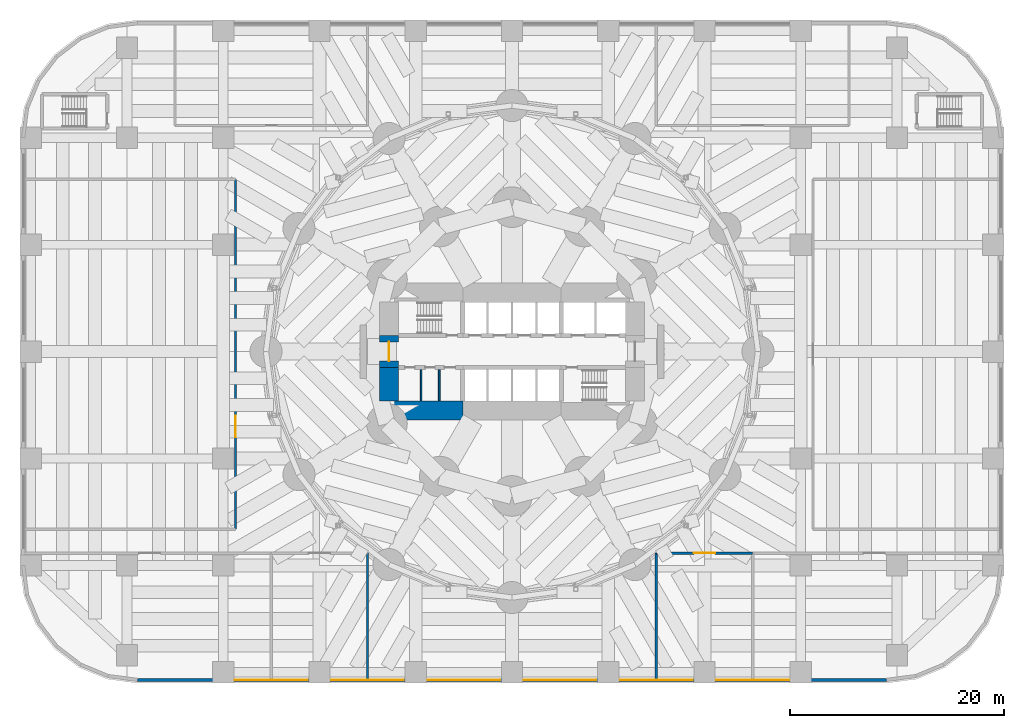
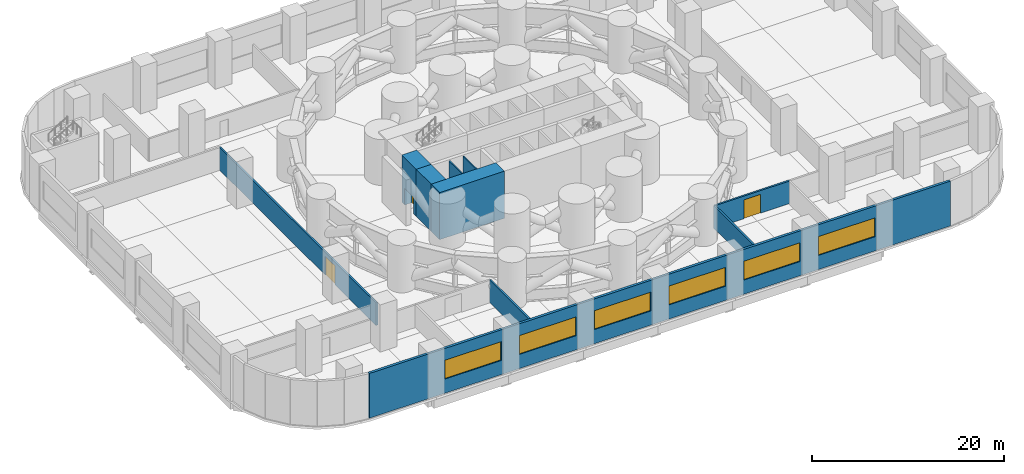
# One storey, part 9 of 14: 10 walls, 6 windows, 3 doors, 9 openings.
"""IFC4 building model written with IfcOpenShell, lengths in metres."""

from ifc_helpers import new_model, si_unit, direction, frame, frame_2d, origin, place, context, subcontext, project, spatial, rectangle, extrude, material, layer, layer_set, type_object, element, fill, save


model = new_model("IFC4")

# Units and contexts
model_context = context("Model", 3, precision=1e-05, world=origin(), true_north=direction((0.0, 1.0)))
body_context = subcontext(model_context, "Body", "Model", "MODEL_VIEW")
ifc_project = project(units=[si_unit("LENGTHUNIT", "METRE"), si_unit("AREAUNIT", "SQUARE_METRE"), si_unit("VOLUMEUNIT", "CUBIC_METRE"), si_unit("PLANEANGLEUNIT", "RADIAN"), si_unit("MASSUNIT", "GRAM", prefix="KILO")], contexts=[model_context])

# Site, building, storey
site_placement = place(None, origin())
site = spatial("IfcSite", under=ifc_project, at=site_placement, CompositionType="ELEMENT")
building_placement = place(site_placement, origin())
building = spatial("IfcBuilding", under=site, at=building_placement, Name="Qaws Media Tower", CompositionType="ELEMENT")
storey_placement = place(building_placement, frame((0.0, 0.0, 20.0)))
storey = spatial("IfcBuildingStorey", under=building, at=storey_placement, Name="L03", CompositionType="ELEMENT", Elevation=20.0)

# Walls
ifc_material_1 = material(Name="Concrete C60/75", Category="concrete")
ifc_layer_1 = layer(ifc_material_1, 1.800048828125)
ifc_layer_set_1 = layer_set([ifc_layer_1], Name="Core wall 1800")
wall_type_1 = type_object("IfcWallType", Name="Core wall 1800", PredefinedType="SHEAR", material=ifc_layer_set_1)
wall_1_placement = place(storey_placement, frame((47.60009765625, 44.5, 0.0), z_axis=(0.0, 0.0, 1.0), x_axis=(1.0, 0.0, 0.0)))
element("IfcWall", 1, at=wall_1_placement, inside=storey, type_object=wall_type_1, Name="W398 SW11 core wall SW L03", PredefinedType="SHEAR", context=body_context, shape_type="SweptSolid", body=[
    extrude(rectangle(XDim=7.7998046875, YDim=1.800048828125, at=frame_2d((3.89990234375, 0.0))), origin(), (0.0, 0.0, 1.0), 6.0),
])
wall_2_placement = place(storey_placement, frame((48.5, 45.3798828125, 0.0), z_axis=(0.0, 0.0, 1.0), x_axis=(0.0, 1.0, 0.0)))
element("IfcWall", 2, at=wall_2_placement, inside=storey, type_object=wall_type_1, Name="W400 SW11 core wall WS L03", PredefinedType="SHEAR", context=body_context, shape_type="SweptSolid", body=[
    extrude(rectangle(XDim=3.1201171875, YDim=1.800048828125, at=frame_2d((1.56005859375, 0.0))), origin(), (0.0, 0.0, 1.0), 6.0),
])

# Wall, opening, door
wall_3_placement = place(storey_placement, frame((48.5, 48.5, 0.0), z_axis=(0.0, 0.0, 1.0), x_axis=(0.0, 1.0, 0.0)))
wall_3 = element("IfcWall", 3, at=wall_3_placement, inside=storey, type_object=wall_type_1, Name="W401 SW11 core wall W L03", PredefinedType="SHEAR", context=body_context, shape_type="SweptSolid", body=[
    extrude(rectangle(XDim=3.0, YDim=1.800048828125, at=frame_2d((1.5, 0.0))), origin(), (0.0, 0.0, 1.0), 6.0),
])
opening_1_placement = place(wall_3_placement, frame((0.60009765625, 0.0, 0.0)))
opening_1 = element("IfcOpeningElement", 4, at=opening_1_placement, cuts=wall_3, Name="Opening D2", PredefinedType="OPENING", context=body_context, shape_type="SweptSolid", body=[
    extrude(rectangle(XDim=1.800048828125, YDim=2.10009765625, at=frame_2d((0.89990234375, 1.050048828125))), frame((0.0, 0.909912109375, 0.0), z_axis=(0.0, -1.0, 0.0), x_axis=(1.0, 0.0, 0.0)), (0.0, 0.0, 1.0), 1.820068359375),
])
ifc_material_2 = material(Name="Steel and glass, fire rated", Category="steel")
door_type_1 = type_object("IfcDoorType", Name="Lobby door pair 1800 FD60", OperationType="DOUBLE_DOOR_DOUBLE_SWING", PredefinedType="DOOR", material=ifc_material_2)
door_1_placement = place(opening_1_placement, origin())
door_1 = element("IfcDoor", 5, at=door_1_placement, inside=storey, type_object=door_type_1, Name="D2 core lobby door W L03 in wall W401", OperationType="DOUBLE_DOOR_DOUBLE_SWING", OverallHeight=2.10009765625, OverallWidth=1.800048828125, PredefinedType="DOOR", context=body_context, shape_type="SweptSolid", body=[
    extrude(rectangle(XDim=1.800048828125, YDim=2.10009765625, at=frame_2d((0.89990234375, 1.050048828125))), frame((0.0, 0.02490234375, 0.0), z_axis=(0.0, -1.0, 0.0), x_axis=(1.0, 0.0, 0.0)), (0.0, 0.0, 1.0), 0.050048828125),
])
fill(opening_1, door_1)

ifc_material_3 = material(Name="215 dense concrete blockwork, fair faced", Category="masonry")
ifc_layer_2 = layer(ifc_material_3, 0.215087890625)
ifc_layer_set_2 = layer_set([ifc_layer_2], Name="Plant room blockwork wall 215")
wall_type_2 = type_object("IfcWallType", Name="Plant room blockwork wall 215", PredefinedType="PARTITIONING", material=ifc_layer_set_2)
wall_4_placement = place(storey_placement, frame((34.14990234375, 33.39990234375, 0.0), z_axis=(0.0, 0.0, 1.0), x_axis=(0.0, 1.0, 0.0)))
wall_4 = element("IfcWall", 6, at=wall_4_placement, inside=storey, type_object=wall_type_2, Name="W751 IW7 partition L03", PredefinedType="PARTITIONING", context=body_context, shape_type="SweptSolid", body=[
    extrude(rectangle(XDim=32.7001953125, YDim=0.215087890625, at=frame_2d((16.35009765625, 0.0))), origin(), (0.0, 0.0, 1.0), 2.8798828125),
])
opening_2_placement = place(wall_4_placement, frame((8.60009765625, 0.0, 0.0)))
opening_2 = element("IfcOpeningElement", 7, at=opening_2_placement, cuts=wall_4, Name="Opening D19", PredefinedType="OPENING", context=body_context, shape_type="SweptSolid", body=[
    extrude(rectangle(XDim=2.0, YDim=2.39990234375, at=frame_2d((1.0, 1.199951171875))), frame((0.0, 0.117431640625, 0.0), z_axis=(0.0, -1.0, 0.0), x_axis=(1.0, 0.0, 0.0)), (0.0, 0.0, 1.0), 0.235107421875),
])
ifc_material_4 = material(Name="Steel, fire rated, louvred", Category="steel")
door_type_2 = type_object("IfcDoorType", Name="Plant room door pair 2000x2400", OperationType="DOUBLE_DOOR_DOUBLE_SWING", PredefinedType="DOOR", material=ifc_material_4)
door_2_placement = place(opening_2_placement, origin())
door_2 = element("IfcDoor", 8, at=door_2_placement, inside=storey, type_object=door_type_2, Name="D19 AHU plant room (west) door in wall W751", OperationType="DOUBLE_DOOR_DOUBLE_SWING", OverallHeight=2.39990234375, OverallWidth=2.0, PredefinedType="DOOR", context=body_context, shape_type="SweptSolid", body=[
    extrude(rectangle(XDim=2.0, YDim=2.39990234375, at=frame_2d((1.0, 1.199951171875))), frame((0.0, 0.02490234375, 0.0), z_axis=(0.0, -1.0, 0.0), x_axis=(1.0, 0.0, 0.0)), (0.0, 0.0, 1.0), 0.050048828125),
])
fill(opening_2, door_2)

# Wall
wall_5_placement = place(storey_placement, frame((73.5, 19.455078125, 0.0), z_axis=(0.0, 0.0, 1.0), x_axis=(0.0, 1.0, 0.0)))
element("IfcWall", 9, at=wall_5_placement, inside=storey, type_object=wall_type_2, Name="W754 IW7 partition L03", PredefinedType="PARTITIONING", context=body_context, shape_type="SweptSolid", body=[
    extrude(rectangle(XDim=11.69482421875, YDim=0.215087890625, at=frame_2d((5.847412109375, 0.0))), origin(), (0.0, 0.0, 1.0), 2.8798828125),
])

# Wall, opening, door
wall_6_placement = place(storey_placement, frame((73.5, 31.14990234375, 0.0), z_axis=(0.0, 0.0, 1.0), x_axis=(1.0, 0.0, 0.0)))
wall_6 = element("IfcWall", 10, at=wall_6_placement, inside=storey, type_object=wall_type_2, Name="W755 IW7 partition L03", PredefinedType="PARTITIONING", context=body_context, shape_type="SweptSolid", body=[
    extrude(rectangle(XDim=9.0, YDim=0.215087890625, at=frame_2d((4.5, 0.0))), origin(), (0.0, 0.0, 1.0), 2.8798828125),
])
opening_3_placement = place(wall_6_placement, frame((3.5, 0.0, 0.0)))
opening_3 = element("IfcOpeningElement", 11, at=opening_3_placement, cuts=wall_6, Name="Opening D19", PredefinedType="OPENING", context=body_context, shape_type="SweptSolid", body=[
    extrude(rectangle(XDim=2.0, YDim=2.39990234375, at=frame_2d((1.0, 1.199951171875))), frame((0.0, 0.117431640625, 0.0), z_axis=(0.0, -1.0, 0.0), x_axis=(1.0, 0.0, 0.0)), (0.0, 0.0, 1.0), 0.235107421875),
])
door_3_placement = place(opening_3_placement, origin())
door_3 = element("IfcDoor", 12, at=door_3_placement, inside=storey, type_object=door_type_2, Name="D19 Heat exchanger plant room door in wall W755", OperationType="DOUBLE_DOOR_DOUBLE_SWING", OverallHeight=2.39990234375, OverallWidth=2.0, PredefinedType="DOOR", context=body_context, shape_type="SweptSolid", body=[
    extrude(rectangle(XDim=2.0, YDim=2.39990234375, at=frame_2d((1.0, 1.199951171875))), frame((0.0, 0.02490234375, 0.0), z_axis=(0.0, -1.0, 0.0), x_axis=(1.0, 0.0, 0.0)), (0.0, 0.0, 1.0), 0.050048828125),
])
fill(opening_3, door_3)

# Wall, openings, windows
ifc_material_5 = material(Name="Precast concrete, exposed finish", Category="concrete")
ifc_layer_3 = layer(ifc_material_5, 0.300048828125)
ifc_layer_set_3 = layer_set([ifc_layer_3], Name="Podium facade wall 300")
wall_type_3 = type_object("IfcWallType", Name="Podium facade wall 300", PredefinedType="SOLIDWALL", material=ifc_layer_set_3)
wall_7_placement = place(storey_placement, frame((25.0, 19.300048828125, 0.0), z_axis=(0.0, 0.0, 1.0), x_axis=(1.0, 0.0, 0.0)))
wall_7 = element("IfcWall", 13, at=wall_7_placement, inside=storey, type_object=wall_type_3, Name="W794 EW2 podium wall L03-28", PredefinedType="SOLIDWALL", context=body_context, shape_type="SweptSolid", body=[
    extrude(rectangle(XDim=70.0, YDim=0.300048828125, at=frame_2d((35.0, 0.0))), origin(), (0.0, 0.0, 1.0), 5.699951171875),
])
opening_4_placement = place(wall_7_placement, frame((9.10009765625, 0.0, 1.800048828125)))
opening_4 = element("IfcOpeningElement", 14, at=opening_4_placement, cuts=wall_7, Name="Opening W5", PredefinedType="OPENING", context=body_context, shape_type="SweptSolid", body=[
    extrude(rectangle(XDim=6.800048828125, YDim=2.39990234375, at=frame_2d((3.39990234375, 1.199951171875))), frame((0.0, 0.159912109375, 0.0), z_axis=(0.0, -1.0, 0.0), x_axis=(1.0, 0.0, 0.0)), (0.0, 0.0, 1.0), 0.320068359375),
])
opening_5_placement = place(wall_7_placement, frame((18.10009765625, 0.0, 1.800048828125)))
opening_5 = element("IfcOpeningElement", 15, at=opening_5_placement, cuts=wall_7, Name="Opening W5", PredefinedType="OPENING", context=body_context, shape_type="SweptSolid", body=[
    extrude(rectangle(XDim=6.800048828125, YDim=2.39990234375, at=frame_2d((3.39990234375, 1.199951171875))), frame((0.0, 0.159912109375, 0.0), z_axis=(0.0, -1.0, 0.0), x_axis=(1.0, 0.0, 0.0)), (0.0, 0.0, 1.0), 0.320068359375),
])
opening_6_placement = place(wall_7_placement, frame((27.10009765625, 0.0, 1.800048828125)))
opening_6 = element("IfcOpeningElement", 16, at=opening_6_placement, cuts=wall_7, Name="Opening W5", PredefinedType="OPENING", context=body_context, shape_type="SweptSolid", body=[
    extrude(rectangle(XDim=6.800048828125, YDim=2.39990234375, at=frame_2d((3.39990234375, 1.199951171875))), frame((0.0, 0.159912109375, 0.0), z_axis=(0.0, -1.0, 0.0), x_axis=(1.0, 0.0, 0.0)), (0.0, 0.0, 1.0), 0.320068359375),
])
opening_7_placement = place(wall_7_placement, frame((36.10009765625, 0.0, 1.800048828125)))
opening_7 = element("IfcOpeningElement", 17, at=opening_7_placement, cuts=wall_7, Name="Opening W5", PredefinedType="OPENING", context=body_context, shape_type="SweptSolid", body=[
    extrude(rectangle(XDim=6.800048828125, YDim=2.39990234375, at=frame_2d((3.39990234375, 1.199951171875))), frame((0.0, 0.159912109375, 0.0), z_axis=(0.0, -1.0, 0.0), x_axis=(1.0, 0.0, 0.0)), (0.0, 0.0, 1.0), 0.320068359375),
])
opening_8_placement = place(wall_7_placement, frame((45.10009765625, 0.0, 1.800048828125)))
opening_8 = element("IfcOpeningElement", 18, at=opening_8_placement, cuts=wall_7, Name="Opening W5", PredefinedType="OPENING", context=body_context, shape_type="SweptSolid", body=[
    extrude(rectangle(XDim=6.800048828125, YDim=2.39990234375, at=frame_2d((3.39990234375, 1.199951171875))), frame((0.0, 0.159912109375, 0.0), z_axis=(0.0, -1.0, 0.0), x_axis=(1.0, 0.0, 0.0)), (0.0, 0.0, 1.0), 0.320068359375),
])
opening_9_placement = place(wall_7_placement, frame((54.10009765625, 0.0, 1.800048828125)))
opening_9 = element("IfcOpeningElement", 19, at=opening_9_placement, cuts=wall_7, Name="Opening W5", PredefinedType="OPENING", context=body_context, shape_type="SweptSolid", body=[
    extrude(rectangle(XDim=6.800048828125, YDim=2.39990234375, at=frame_2d((3.39990234375, 1.199951171875))), frame((0.0, 0.159912109375, 0.0), z_axis=(0.0, -1.0, 0.0), x_axis=(1.0, 0.0, 0.0)), (0.0, 0.0, 1.0), 0.320068359375),
])
ifc_material_6 = material(Name="Aluminium louvre", Category="aluminium")
window_type = type_object("IfcWindowType", Name="Plant louvre window 6800x2400", PartitioningType="TRIPLE_PANEL_HORIZONTAL", PredefinedType="WINDOW", material=ifc_material_6)
window_1_placement = place(opening_4_placement, origin())
window_1 = element("IfcWindow", 20, at=window_1_placement, inside=storey, type_object=window_type, Name="W5 window L03 bay 3", OverallHeight=2.39990234375, OverallWidth=6.800048828125, PartitioningType="SINGLE_PANEL", PredefinedType="WINDOW", context=body_context, shape_type="SweptSolid", body=[
    extrude(rectangle(XDim=6.800048828125, YDim=2.39990234375, at=frame_2d((3.39990234375, 1.199951171875))), frame((0.0, 0.030029296875, 0.0), z_axis=(0.0, -1.0, 0.0), x_axis=(1.0, 0.0, 0.0)), (0.0, 0.0, 1.0), 0.06005859375),
])
fill(opening_4, window_1)
window_2_placement = place(opening_5_placement, origin())
window_2 = element("IfcWindow", 21, at=window_2_placement, inside=storey, type_object=window_type, Name="W5 window L03 bay 4", OverallHeight=2.39990234375, OverallWidth=6.800048828125, PartitioningType="SINGLE_PANEL", PredefinedType="WINDOW", context=body_context, shape_type="SweptSolid", body=[
    extrude(rectangle(XDim=6.800048828125, YDim=2.39990234375, at=frame_2d((3.39990234375, 1.199951171875))), frame((0.0, 0.030029296875, 0.0), z_axis=(0.0, -1.0, 0.0), x_axis=(1.0, 0.0, 0.0)), (0.0, 0.0, 1.0), 0.06005859375),
])
fill(opening_5, window_2)
window_3_placement = place(opening_6_placement, origin())
window_3 = element("IfcWindow", 22, at=window_3_placement, inside=storey, type_object=window_type, Name="W5 window L03 bay 5", OverallHeight=2.39990234375, OverallWidth=6.800048828125, PartitioningType="SINGLE_PANEL", PredefinedType="WINDOW", context=body_context, shape_type="SweptSolid", body=[
    extrude(rectangle(XDim=6.800048828125, YDim=2.39990234375, at=frame_2d((3.39990234375, 1.199951171875))), frame((0.0, 0.030029296875, 0.0), z_axis=(0.0, -1.0, 0.0), x_axis=(1.0, 0.0, 0.0)), (0.0, 0.0, 1.0), 0.06005859375),
])
fill(opening_6, window_3)
window_4_placement = place(opening_7_placement, origin())
window_4 = element("IfcWindow", 23, at=window_4_placement, inside=storey, type_object=window_type, Name="W5 window L03 bay 6", OverallHeight=2.39990234375, OverallWidth=6.800048828125, PartitioningType="SINGLE_PANEL", PredefinedType="WINDOW", context=body_context, shape_type="SweptSolid", body=[
    extrude(rectangle(XDim=6.800048828125, YDim=2.39990234375, at=frame_2d((3.39990234375, 1.199951171875))), frame((0.0, 0.030029296875, 0.0), z_axis=(0.0, -1.0, 0.0), x_axis=(1.0, 0.0, 0.0)), (0.0, 0.0, 1.0), 0.06005859375),
])
fill(opening_7, window_4)
window_5_placement = place(opening_8_placement, origin())
window_5 = element("IfcWindow", 24, at=window_5_placement, inside=storey, type_object=window_type, Name="W5 window L03 bay 7", OverallHeight=2.39990234375, OverallWidth=6.800048828125, PartitioningType="SINGLE_PANEL", PredefinedType="WINDOW", context=body_context, shape_type="SweptSolid", body=[
    extrude(rectangle(XDim=6.800048828125, YDim=2.39990234375, at=frame_2d((3.39990234375, 1.199951171875))), frame((0.0, 0.030029296875, 0.0), z_axis=(0.0, -1.0, 0.0), x_axis=(1.0, 0.0, 0.0)), (0.0, 0.0, 1.0), 0.06005859375),
])
fill(opening_8, window_5)
window_6_placement = place(opening_9_placement, origin())
window_6 = element("IfcWindow", 25, at=window_6_placement, inside=storey, type_object=window_type, Name="W5 window L03 bay 8", OverallHeight=2.39990234375, OverallWidth=6.800048828125, PartitioningType="SINGLE_PANEL", PredefinedType="WINDOW", context=body_context, shape_type="SweptSolid", body=[
    extrude(rectangle(XDim=6.800048828125, YDim=2.39990234375, at=frame_2d((3.39990234375, 1.199951171875))), frame((0.0, 0.030029296875, 0.0), z_axis=(0.0, -1.0, 0.0), x_axis=(1.0, 0.0, 0.0)), (0.0, 0.0, 1.0), 0.06005859375),
])
fill(opening_9, window_6)

# Walls
ifc_material_7 = material(Name="Gypsum board on galvanised metal studs, acoustic double stud, deflection head", Category="gypsum")
ifc_layer_4 = layer(ifc_material_7, 0.199951171875)
ifc_layer_set_4 = layer_set([ifc_layer_4], Name="Room partition 200")
wall_type_4 = type_object("IfcWallType", Name="Room partition 200", PredefinedType="PARTITIONING", material=ifc_layer_set_4)
wall_8_placement = place(storey_placement, frame((46.5, 19.455078125, 0.0), z_axis=(0.0, 0.0, 1.0), x_axis=(0.0, 1.0, 0.0)))
element("IfcWall", 26, at=wall_8_placement, inside=storey, type_object=wall_type_4, Name="W938 IW3 partition L03", PredefinedType="PARTITIONING", context=body_context, shape_type="SweptSolid", body=[
    extrude(rectangle(XDim=11.69482421875, YDim=0.199951171875, at=frame_2d((5.847412109375, 0.0))), origin(), (0.0, 0.0, 1.0), 2.8798828125),
])
ifc_material_8 = material(Name="Gypsum board on galvanised metal studs, deflection head", Category="gypsum")
ifc_layer_5 = layer(ifc_material_8, 0.14990234375)
ifc_layer_set_5 = layer_set([ifc_layer_5], Name="WC partition 150")
wall_type_5 = type_object("IfcWallType", Name="WC partition 150", PredefinedType="PARTITIONING", material=ifc_layer_set_5)
for number, where, z_axis, x_axis, name in (
    (27, (51.5, 45.39990234375, 0.0), (0.0, 0.0, 1.0), (0.0, 1.0, 0.0), "W1900 IW2 toilet partition 1 L03"),
    (28, (53.199951171875, 45.39990234375, 0.0), (0.0, 0.0, 1.0), (0.0, 1.0, 0.0), "W1901 IW2 toilet partition 2 L03"),
):
    element("IfcWall", number, at=place(storey_placement, frame(where, z_axis=z_axis, x_axis=x_axis)), inside=storey, type_object=wall_type_5, Name=name, PredefinedType="PARTITIONING", context=body_context, shape_type="SweptSolid", body=[
        extrude(rectangle(XDim=2.900146484375, YDim=0.14990234375, at=frame_2d((1.4501953125, 0.0))), origin(), (0.0, 0.0, 1.0), 5.840087890625),
    ])

save(model, "model.ifc")
